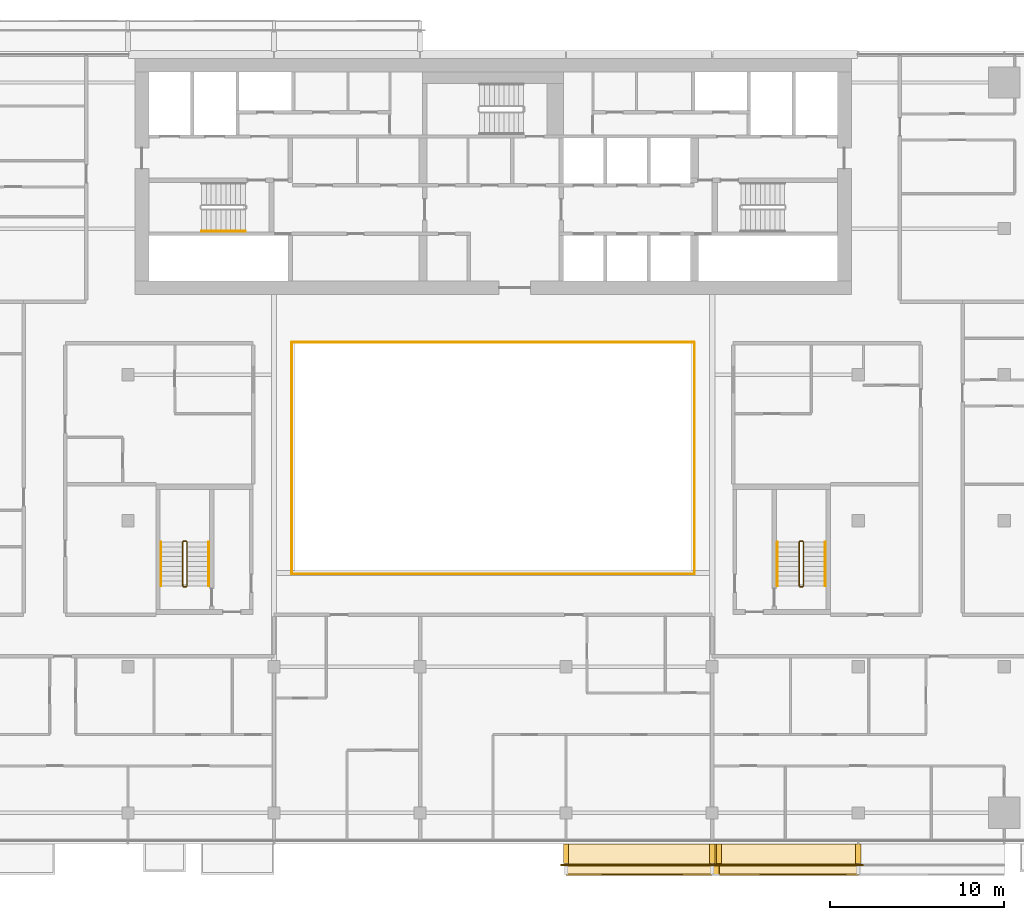
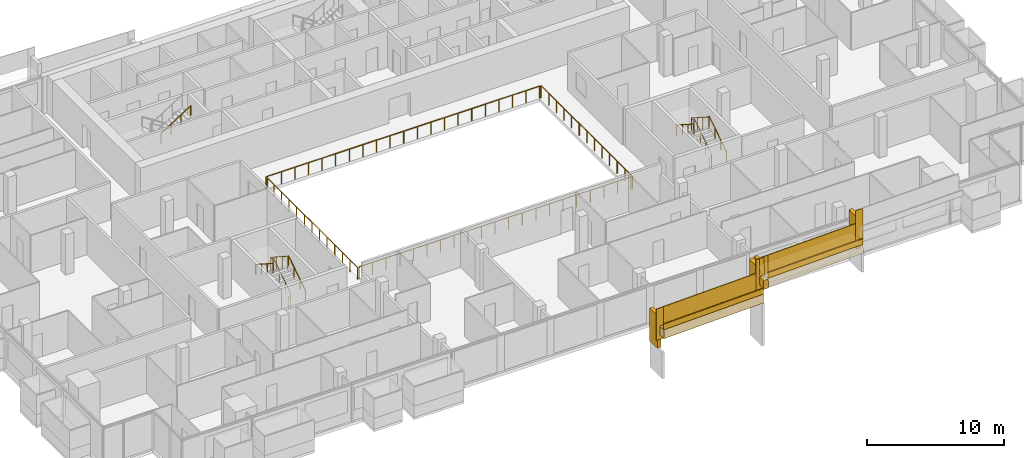
# One storey, part 26 of 28: 18 railings, 9 coverings.
"""IFC4 building model written with IfcOpenShell, lengths in metres."""

from ifc_helpers import new_model, si_unit, direction, frame, origin, origin_2d, place, context, subcontext, project, spatial, polyline, rectangle, circle, outline, extrude, material, layer, layer_set, type_object, element, save


model = new_model("IFC4")

# Units and contexts
model_context = context("Model", 3, precision=1e-05, world=origin(), true_north=direction((0.0, 1.0)))
body_context = subcontext(model_context, "Body", "Model", "MODEL_VIEW")
ifc_project = project(units=[si_unit("LENGTHUNIT", "METRE"), si_unit("AREAUNIT", "SQUARE_METRE"), si_unit("VOLUMEUNIT", "CUBIC_METRE"), si_unit("PLANEANGLEUNIT", "RADIAN"), si_unit("MASSUNIT", "GRAM", prefix="KILO")], contexts=[model_context])

# Site, building, storey
site_placement = place(None, origin())
site = spatial("IfcSite", under=ifc_project, at=site_placement, CompositionType="ELEMENT")
building_placement = place(site_placement, origin())
building = spatial("IfcBuilding", under=site, at=building_placement, Name="Saffron Gate Tower", CompositionType="ELEMENT")
storey_placement = place(building_placement, frame((0.0, 0.0, 154.64990234375)))
storey = spatial("IfcBuildingStorey", under=building, at=storey_placement, Name="L37", CompositionType="ELEMENT", Elevation=154.64990234375)

# Railings
ifc_material_1 = material(Name="Stainless steel and laminated glass", Category="steel")
railing_type_1 = type_object("IfcRailingType", Name="AG1 Atrium edge guard 1100", PredefinedType="GUARDRAIL", material=ifc_material_1)
railing_1_placement = place(storey_placement, frame((76.02001953125, 45.5400390625, 0.0)))
element("IfcRailing", 1, at=railing_1_placement, inside=storey, type_object=railing_type_1, Name="Guard C1-1", PredefinedType="GUARDRAIL", context=body_context, shape_type="SweptSolid", body=[
    extrude(circle(Radius=0.02392578125, at=origin_2d()), frame((0.0, 0.0, 1.076171875), z_axis=(0.0, 1.0, 0.0), x_axis=(-1.0, 0.0, 0.0)), (0.0, 0.0, 1.0), 13.320068359375),
    extrude(circle(Radius=0.02099609375, at=origin_2d()), origin(), (0.0, 0.0, 1.0), 1.052001953125),
    extrude(circle(Radius=0.02099609375, at=origin_2d()), frame((0.0, 1.110107421875, 0.0)), (0.0, 0.0, 1.0), 1.052001953125),
    extrude(circle(Radius=0.02099609375, at=origin_2d()), frame((0.0, 2.219970703125, 0.0)), (0.0, 0.0, 1.0), 1.052001953125),
    extrude(circle(Radius=0.02099609375, at=origin_2d()), frame((0.0, 3.330078125, 0.0)), (0.0, 0.0, 1.0), 1.052001953125),
    extrude(circle(Radius=0.02099609375, at=origin_2d()), frame((0.0, 4.43994140625, 0.0)), (0.0, 0.0, 1.0), 1.052001953125),
    extrude(circle(Radius=0.02099609375, at=origin_2d()), frame((0.0, 5.550048828125, 0.0)), (0.0, 0.0, 1.0), 1.052001953125),
    extrude(circle(Radius=0.02099609375, at=origin_2d()), frame((0.0, 6.66015625, 0.0)), (0.0, 0.0, 1.0), 1.052001953125),
    extrude(circle(Radius=0.02099609375, at=origin_2d()), frame((0.0, 7.77001953125, 0.0)), (0.0, 0.0, 1.0), 1.052001953125),
    extrude(circle(Radius=0.02099609375, at=origin_2d()), frame((0.0, 8.880126953125, 0.0)), (0.0, 0.0, 1.0), 1.052001953125),
    extrude(circle(Radius=0.02099609375, at=origin_2d()), frame((0.0, 9.989990234375, 0.0)), (0.0, 0.0, 1.0), 1.052001953125),
    extrude(circle(Radius=0.02099609375, at=origin_2d()), frame((0.0, 11.10009765625, 0.0)), (0.0, 0.0, 1.0), 1.052001953125),
    extrude(circle(Radius=0.02099609375, at=origin_2d()), frame((0.0, 12.2099609375, 0.0)), (0.0, 0.0, 1.0), 1.052001953125),
    extrude(circle(Radius=0.02099609375, at=origin_2d()), frame((0.0, 13.320068359375, 0.0)), (0.0, 0.0, 1.0), 1.052001953125),
])
railing_2_placement = place(storey_placement, frame((76.139892578125, 58.860107421875, 0.0)))
element("IfcRailing", 2, at=railing_2_placement, inside=storey, type_object=railing_type_1, Name="Guard C1-2", PredefinedType="GUARDRAIL", context=body_context, shape_type="SweptSolid", body=[
    extrude(circle(Radius=0.02392578125, at=origin_2d()), frame((0.0, 0.0, 1.076171875), z_axis=(1.0, 0.0, 0.0), x_axis=(0.0, 1.0, 0.0)), (0.0, 0.0, 1.0), 22.920166015625),
    extrude(circle(Radius=0.02099609375, at=origin_2d()), origin(), (0.0, 0.0, 1.0), 1.052001953125),
    extrude(circle(Radius=0.02099609375, at=origin_2d()), frame((1.14599609375, 0.0, 0.0)), (0.0, 0.0, 1.0), 1.052001953125),
    extrude(circle(Radius=0.02099609375, at=origin_2d()), frame((2.2919921875, 0.0, 0.0)), (0.0, 0.0, 1.0), 1.052001953125),
    extrude(circle(Radius=0.02099609375, at=origin_2d()), frame((3.43798828125, 0.0, 0.0)), (0.0, 0.0, 1.0), 1.052001953125),
    extrude(circle(Radius=0.02099609375, at=origin_2d()), frame((4.583984375, 0.0, 0.0)), (0.0, 0.0, 1.0), 1.052001953125),
    extrude(circle(Radius=0.02099609375, at=origin_2d()), frame((5.72998046875, 0.0, 0.0)), (0.0, 0.0, 1.0), 1.052001953125),
    extrude(circle(Radius=0.02099609375, at=origin_2d()), frame((6.8759765625, 0.0, 0.0)), (0.0, 0.0, 1.0), 1.052001953125),
    extrude(circle(Radius=0.02099609375, at=origin_2d()), frame((8.02197265625, 0.0, 0.0)), (0.0, 0.0, 1.0), 1.052001953125),
    extrude(circle(Radius=0.02099609375, at=origin_2d()), frame((9.16796875, 0.0, 0.0)), (0.0, 0.0, 1.0), 1.052001953125),
    extrude(circle(Radius=0.02099609375, at=origin_2d()), frame((10.31396484375, 0.0, 0.0)), (0.0, 0.0, 1.0), 1.052001953125),
    extrude(circle(Radius=0.02099609375, at=origin_2d()), frame((11.4599609375, 0.0, 0.0)), (0.0, 0.0, 1.0), 1.052001953125),
    extrude(circle(Radius=0.02099609375, at=origin_2d()), frame((12.606201171875, 0.0, 0.0)), (0.0, 0.0, 1.0), 1.052001953125),
    extrude(circle(Radius=0.02099609375, at=origin_2d()), frame((13.752197265625, 0.0, 0.0)), (0.0, 0.0, 1.0), 1.052001953125),
    extrude(circle(Radius=0.02099609375, at=origin_2d()), frame((14.898193359375, 0.0, 0.0)), (0.0, 0.0, 1.0), 1.052001953125),
    extrude(circle(Radius=0.02099609375, at=origin_2d()), frame((16.044189453125, 0.0, 0.0)), (0.0, 0.0, 1.0), 1.052001953125),
    extrude(circle(Radius=0.02099609375, at=origin_2d()), frame((17.190185546875, 0.0, 0.0)), (0.0, 0.0, 1.0), 1.052001953125),
    extrude(circle(Radius=0.02099609375, at=origin_2d()), frame((18.336181640625, 0.0, 0.0)), (0.0, 0.0, 1.0), 1.052001953125),
    extrude(circle(Radius=0.02099609375, at=origin_2d()), frame((19.482177734375, 0.0, 0.0)), (0.0, 0.0, 1.0), 1.052001953125),
    extrude(circle(Radius=0.02099609375, at=origin_2d()), frame((20.628173828125, 0.0, 0.0)), (0.0, 0.0, 1.0), 1.052001953125),
    extrude(circle(Radius=0.02099609375, at=origin_2d()), frame((21.774169921875, 0.0, 0.0)), (0.0, 0.0, 1.0), 1.052001953125),
    extrude(circle(Radius=0.02099609375, at=origin_2d()), frame((22.920166015625, 0.0, 0.0)), (0.0, 0.0, 1.0), 1.052001953125),
])
railing_3_placement = place(storey_placement, frame((99.179931640625, 58.860107421875, 0.0)))
element("IfcRailing", 3, at=railing_3_placement, inside=storey, type_object=railing_type_1, Name="Guard C1-3", PredefinedType="GUARDRAIL", context=body_context, shape_type="SweptSolid", body=[
    extrude(circle(Radius=0.02392578125, at=origin_2d()), frame((0.0, 0.0, 1.076171875), z_axis=(0.0, -1.0, 0.0), x_axis=(1.0, 0.0, 0.0)), (0.0, 0.0, 1.0), 13.320068359375),
    extrude(circle(Radius=0.02099609375, at=origin_2d()), origin(), (0.0, 0.0, 1.0), 1.052001953125),
    extrude(circle(Radius=0.02099609375, at=origin_2d()), frame((0.0, -1.110107421875, 0.0)), (0.0, 0.0, 1.0), 1.052001953125),
    extrude(circle(Radius=0.02099609375, at=origin_2d()), frame((0.0, -2.219970703125, 0.0)), (0.0, 0.0, 1.0), 1.052001953125),
    extrude(circle(Radius=0.02099609375, at=origin_2d()), frame((0.0, -3.330078125, 0.0)), (0.0, 0.0, 1.0), 1.052001953125),
    extrude(circle(Radius=0.02099609375, at=origin_2d()), frame((0.0, -4.43994140625, 0.0)), (0.0, 0.0, 1.0), 1.052001953125),
    extrude(circle(Radius=0.02099609375, at=origin_2d()), frame((0.0, -5.550048828125, 0.0)), (0.0, 0.0, 1.0), 1.052001953125),
    extrude(circle(Radius=0.02099609375, at=origin_2d()), frame((0.0, -6.66015625, 0.0)), (0.0, 0.0, 1.0), 1.052001953125),
    extrude(circle(Radius=0.02099609375, at=origin_2d()), frame((0.0, -7.77001953125, 0.0)), (0.0, 0.0, 1.0), 1.052001953125),
    extrude(circle(Radius=0.02099609375, at=origin_2d()), frame((0.0, -8.880126953125, 0.0)), (0.0, 0.0, 1.0), 1.052001953125),
    extrude(circle(Radius=0.02099609375, at=origin_2d()), frame((0.0, -9.989990234375, 0.0)), (0.0, 0.0, 1.0), 1.052001953125),
    extrude(circle(Radius=0.02099609375, at=origin_2d()), frame((0.0, -11.10009765625, 0.0)), (0.0, 0.0, 1.0), 1.052001953125),
    extrude(circle(Radius=0.02099609375, at=origin_2d()), frame((0.0, -12.2099609375, 0.0)), (0.0, 0.0, 1.0), 1.052001953125),
    extrude(circle(Radius=0.02099609375, at=origin_2d()), frame((0.0, -13.320068359375, 0.0)), (0.0, 0.0, 1.0), 1.052001953125),
])
railing_4_placement = place(storey_placement, frame((99.06005859375, 45.5400390625, 0.0)))
element("IfcRailing", 4, at=railing_4_placement, inside=storey, type_object=railing_type_1, Name="Guard C1-4", PredefinedType="GUARDRAIL", context=body_context, shape_type="SweptSolid", body=[
    extrude(circle(Radius=0.02392578125, at=origin_2d()), frame((0.0, 0.0, 1.076171875), z_axis=(-1.0, 0.0, 0.0), x_axis=(0.0, -1.0, 0.0)), (0.0, 0.0, 1.0), 22.920166015625),
    extrude(circle(Radius=0.02099609375, at=origin_2d()), origin(), (0.0, 0.0, 1.0), 1.052001953125),
    extrude(circle(Radius=0.02099609375, at=origin_2d()), frame((-1.14599609375, 0.0, 0.0)), (0.0, 0.0, 1.0), 1.052001953125),
    extrude(circle(Radius=0.02099609375, at=origin_2d()), frame((-2.2919921875, 0.0, 0.0)), (0.0, 0.0, 1.0), 1.052001953125),
    extrude(circle(Radius=0.02099609375, at=origin_2d()), frame((-3.43798828125, 0.0, 0.0)), (0.0, 0.0, 1.0), 1.052001953125),
    extrude(circle(Radius=0.02099609375, at=origin_2d()), frame((-4.583984375, 0.0, 0.0)), (0.0, 0.0, 1.0), 1.052001953125),
    extrude(circle(Radius=0.02099609375, at=origin_2d()), frame((-5.72998046875, 0.0, 0.0)), (0.0, 0.0, 1.0), 1.052001953125),
    extrude(circle(Radius=0.02099609375, at=origin_2d()), frame((-6.8759765625, 0.0, 0.0)), (0.0, 0.0, 1.0), 1.052001953125),
    extrude(circle(Radius=0.02099609375, at=origin_2d()), frame((-8.02197265625, 0.0, 0.0)), (0.0, 0.0, 1.0), 1.052001953125),
    extrude(circle(Radius=0.02099609375, at=origin_2d()), frame((-9.16796875, 0.0, 0.0)), (0.0, 0.0, 1.0), 1.052001953125),
    extrude(circle(Radius=0.02099609375, at=origin_2d()), frame((-10.31396484375, 0.0, 0.0)), (0.0, 0.0, 1.0), 1.052001953125),
    extrude(circle(Radius=0.02099609375, at=origin_2d()), frame((-11.4599609375, 0.0, 0.0)), (0.0, 0.0, 1.0), 1.052001953125),
    extrude(circle(Radius=0.02099609375, at=origin_2d()), frame((-12.606201171875, 0.0, 0.0)), (0.0, 0.0, 1.0), 1.052001953125),
    extrude(circle(Radius=0.02099609375, at=origin_2d()), frame((-13.752197265625, 0.0, 0.0)), (0.0, 0.0, 1.0), 1.052001953125),
    extrude(circle(Radius=0.02099609375, at=origin_2d()), frame((-14.898193359375, 0.0, 0.0)), (0.0, 0.0, 1.0), 1.052001953125),
    extrude(circle(Radius=0.02099609375, at=origin_2d()), frame((-16.044189453125, 0.0, 0.0)), (0.0, 0.0, 1.0), 1.052001953125),
    extrude(circle(Radius=0.02099609375, at=origin_2d()), frame((-17.190185546875, 0.0, 0.0)), (0.0, 0.0, 1.0), 1.052001953125),
    extrude(circle(Radius=0.02099609375, at=origin_2d()), frame((-18.336181640625, 0.0, 0.0)), (0.0, 0.0, 1.0), 1.052001953125),
    extrude(circle(Radius=0.02099609375, at=origin_2d()), frame((-19.482177734375, 0.0, 0.0)), (0.0, 0.0, 1.0), 1.052001953125),
    extrude(circle(Radius=0.02099609375, at=origin_2d()), frame((-20.628173828125, 0.0, 0.0)), (0.0, 0.0, 1.0), 1.052001953125),
    extrude(circle(Radius=0.02099609375, at=origin_2d()), frame((-21.774169921875, 0.0, 0.0)), (0.0, 0.0, 1.0), 1.052001953125),
    extrude(circle(Radius=0.02099609375, at=origin_2d()), frame((-22.920166015625, 0.0, 0.0)), (0.0, 0.0, 1.0), 1.052001953125),
])
railing_type_2 = type_object("IfcRailingType", Name="CR1 Stair guard 1100", PredefinedType="GUARDRAIL", material=ifc_material_1)
railing_5_placement = place(storey_placement, frame((69.800048828125, 44.800048828125, 0.0)))
element("IfcRailing", 5, at=railing_5_placement, inside=storey, type_object=railing_type_2, Name="L37 ST-D stair guard 1", PredefinedType="GUARDRAIL", context=body_context, shape_type="SweptSolid", body=[
    extrude(circle(Radius=0.02392578125, at=origin_2d()), frame((0.0, 0.0, 1.076171875), z_axis=(1.0, 0.0, 0.0), x_axis=(0.0, 1.0, 0.0)), (0.0, 0.0, 1.0), 0.14990234375),
    extrude(circle(Radius=0.02392578125, at=origin_2d()), frame((0.14990234375, 0.0, 1.076171875), z_axis=(0.258543844998, 0.258543844998, 0.930757841991), x_axis=(-0.707106781187, 0.707106781187, 0.0)), (0.0, 0.0, 1.0), 0.193603515625),
    extrude(circle(Radius=0.02392578125, at=origin_2d()), frame((0.199951171875, 0.050048828125, 1.25634765625), z_axis=(0.0, 0.841199657755, 0.540724639528), x_axis=(-1.0, 0.0, 0.0)), (0.0, 0.0, 1.0), 2.995849609375),
    extrude(circle(Radius=0.02392578125, at=origin_2d()), frame((0.199951171875, 2.570068359375, 2.8759765625), z_axis=(-0.708833529934, 0.705375805398, 0.0), x_axis=(-0.705375805398, -0.708833529934, 0.0)), (0.0, 0.0, 1.0), 0.070556640625),
    extrude(circle(Radius=0.02392578125, at=origin_2d()), frame((0.14990234375, 2.619873046875, 2.8759765625), z_axis=(-1.0, 0.0, 0.0), x_axis=(0.0, -1.0, 0.0)), (0.0, 0.0, 1.0), 0.14990234375),
    extrude(circle(Radius=0.02392578125, at=origin_2d()), frame((0.0, 2.619873046875, 2.8759765625), z_axis=(-0.258932105505, -0.257669022063, 0.930892496375), x_axis=(0.705375805398, -0.708833529934, 0.0)), (0.0, 0.0, 1.0), 0.193359375),
    extrude(circle(Radius=0.02392578125, at=origin_2d()), frame((-0.050048828125, 2.570068359375, 3.05615234375), z_axis=(0.0, -0.841162588446, 0.540782303519), x_axis=(1.0, 0.0, 0.0)), (0.0, 0.0, 1.0), 2.995849609375),
    extrude(circle(Radius=0.02099609375, at=origin_2d()), origin(), (0.0, 0.0, 1.0), 1.052001953125),
    extrude(circle(Radius=0.02099609375, at=origin_2d()), frame((0.14990234375, 0.0, 0.0)), (0.0, 0.0, 1.0), 1.052001953125),
    extrude(circle(Radius=0.02099609375, at=origin_2d()), frame((0.199951171875, 0.050048828125, 0.18017578125)), (0.0, 0.0, 1.0), 1.052001953125),
    extrude(circle(Radius=0.02099609375, at=origin_2d()), frame((0.199951171875, 0.89013671875, 0.72021484375)), (0.0, 0.0, 1.0), 1.052001953125),
    extrude(circle(Radius=0.02099609375, at=origin_2d()), frame((0.199951171875, 1.72998046875, 1.260009765625)), (0.0, 0.0, 1.0), 1.052001953125),
    extrude(circle(Radius=0.02099609375, at=origin_2d()), frame((0.199951171875, 2.570068359375, 1.800048828125)), (0.0, 0.0, 1.0), 1.052001953125),
    extrude(circle(Radius=0.02099609375, at=origin_2d()), frame((0.14990234375, 2.619873046875, 1.800048828125)), (0.0, 0.0, 1.0), 1.052001953125),
    extrude(circle(Radius=0.02099609375, at=origin_2d()), frame((0.0, 2.619873046875, 1.800048828125)), (0.0, 0.0, 1.0), 1.052001953125),
    extrude(circle(Radius=0.02099609375, at=origin_2d()), frame((-0.050048828125, 2.570068359375, 1.97998046875)), (0.0, 0.0, 1.0), 1.052001953125),
    extrude(circle(Radius=0.02099609375, at=origin_2d()), frame((-0.050048828125, 1.72998046875, 2.52001953125)), (0.0, 0.0, 1.0), 1.052001953125),
    extrude(circle(Radius=0.02099609375, at=origin_2d()), frame((-0.050048828125, 0.89013671875, 3.06005859375)), (0.0, 0.0, 1.0), 1.052001953125),
    extrude(circle(Radius=0.02099609375, at=origin_2d()), frame((-0.050048828125, 0.050048828125, 3.60009765625)), (0.0, 0.0, 1.0), 1.052001953125),
])
railing_6_placement = place(storey_placement, frame((105.25, 44.800048828125, 0.0)))
element("IfcRailing", 6, at=railing_6_placement, inside=storey, type_object=railing_type_2, Name="L37 ST-E stair guard 1", PredefinedType="GUARDRAIL", context=body_context, shape_type="SweptSolid", body=[
    extrude(circle(Radius=0.02392578125, at=origin_2d()), frame((0.0, 0.0, 1.076171875), z_axis=(1.0, 0.0, 0.0), x_axis=(0.0, 1.0, 0.0)), (0.0, 0.0, 1.0), 0.14990234375),
    extrude(circle(Radius=0.02392578125, at=origin_2d()), frame((0.14990234375, 0.0, 1.076171875), z_axis=(0.258543844998, 0.258543844998, 0.930757841991), x_axis=(-0.707106781187, 0.707106781187, 0.0)), (0.0, 0.0, 1.0), 0.193603515625),
    extrude(circle(Radius=0.02392578125, at=origin_2d()), frame((0.199951171875, 0.050048828125, 1.25634765625), z_axis=(0.0, 0.841199657755, 0.540724639528), x_axis=(-1.0, 0.0, 0.0)), (0.0, 0.0, 1.0), 2.995849609375),
    extrude(circle(Radius=0.02392578125, at=origin_2d()), frame((0.199951171875, 2.570068359375, 2.8759765625), z_axis=(-0.708833529934, 0.705375805398, 0.0), x_axis=(-0.705375805398, -0.708833529934, 0.0)), (0.0, 0.0, 1.0), 0.070556640625),
    extrude(circle(Radius=0.02392578125, at=origin_2d()), frame((0.14990234375, 2.619873046875, 2.8759765625), z_axis=(-1.0, 0.0, 0.0), x_axis=(0.0, -1.0, 0.0)), (0.0, 0.0, 1.0), 0.14990234375),
    extrude(circle(Radius=0.02392578125, at=origin_2d()), frame((0.0, 2.619873046875, 2.8759765625), z_axis=(-0.258932105505, -0.257669022063, 0.930892496375), x_axis=(0.705375805398, -0.708833529934, 0.0)), (0.0, 0.0, 1.0), 0.193359375),
    extrude(circle(Radius=0.02392578125, at=origin_2d()), frame((-0.050048828125, 2.570068359375, 3.05615234375), z_axis=(0.0, -0.841162588446, 0.540782303519), x_axis=(1.0, 0.0, 0.0)), (0.0, 0.0, 1.0), 2.995849609375),
    extrude(circle(Radius=0.02099609375, at=origin_2d()), origin(), (0.0, 0.0, 1.0), 1.052001953125),
    extrude(circle(Radius=0.02099609375, at=origin_2d()), frame((0.14990234375, 0.0, 0.0)), (0.0, 0.0, 1.0), 1.052001953125),
    extrude(circle(Radius=0.02099609375, at=origin_2d()), frame((0.199951171875, 0.050048828125, 0.18017578125)), (0.0, 0.0, 1.0), 1.052001953125),
    extrude(circle(Radius=0.02099609375, at=origin_2d()), frame((0.199951171875, 0.89013671875, 0.72021484375)), (0.0, 0.0, 1.0), 1.052001953125),
    extrude(circle(Radius=0.02099609375, at=origin_2d()), frame((0.199951171875, 1.72998046875, 1.260009765625)), (0.0, 0.0, 1.0), 1.052001953125),
    extrude(circle(Radius=0.02099609375, at=origin_2d()), frame((0.199951171875, 2.570068359375, 1.800048828125)), (0.0, 0.0, 1.0), 1.052001953125),
    extrude(circle(Radius=0.02099609375, at=origin_2d()), frame((0.14990234375, 2.619873046875, 1.800048828125)), (0.0, 0.0, 1.0), 1.052001953125),
    extrude(circle(Radius=0.02099609375, at=origin_2d()), frame((0.0, 2.619873046875, 1.800048828125)), (0.0, 0.0, 1.0), 1.052001953125),
    extrude(circle(Radius=0.02099609375, at=origin_2d()), frame((-0.050048828125, 2.570068359375, 1.97998046875)), (0.0, 0.0, 1.0), 1.052001953125),
    extrude(circle(Radius=0.02099609375, at=origin_2d()), frame((-0.050048828125, 1.72998046875, 2.52001953125)), (0.0, 0.0, 1.0), 1.052001953125),
    extrude(circle(Radius=0.02099609375, at=origin_2d()), frame((-0.050048828125, 0.89013671875, 3.06005859375)), (0.0, 0.0, 1.0), 1.052001953125),
    extrude(circle(Radius=0.02099609375, at=origin_2d()), frame((-0.050048828125, 0.050048828125, 3.60009765625)), (0.0, 0.0, 1.0), 1.052001953125),
])
ifc_material_2 = material(Name="Stainless steel", Category="steel")
railing_type_3 = type_object("IfcRailingType", Name="CR2 Stair handrail 900", PredefinedType="HANDRAIL", material=ifc_material_2)
railing_7_placement = place(storey_placement, frame((70.830078125, 65.25, 1.97998046875)))
element("IfcRailing", 7, at=railing_7_placement, inside=storey, type_object=railing_type_3, Name="L37 ST-A stair handrail 2", PredefinedType="HANDRAIL", context=body_context, shape_type="SweptSolid", body=[
    extrude(circle(Radius=0.02392578125, at=origin_2d()), frame((0.0, 0.0, 0.8759765625), z_axis=(0.841162588446, 0.0, 0.540782303519), x_axis=(0.0, 1.0, 0.0)), (0.0, 0.0, 1.0), 2.995849609375),
    extrude(circle(Radius=0.02099609375, at=origin_2d()), origin(), (0.0, 0.0, 1.0), 0.851806640625),
    extrude(circle(Radius=0.02099609375, at=origin_2d()), frame((0.840087890625, 0.0, 0.5400390625)), (0.0, 0.0, 1.0), 0.851806640625),
    extrude(circle(Radius=0.02099609375, at=origin_2d()), frame((1.679931640625, 0.0, 1.080078125)), (0.0, 0.0, 1.0), 0.851806640625),
    extrude(circle(Radius=0.02099609375, at=origin_2d()), frame((2.52001953125, 0.0, 1.6201171875)), (0.0, 0.0, 1.0), 0.851806640625),
])
railing_8_placement = place(storey_placement, frame((71.25, 44.85009765625, 0.18017578125)))
element("IfcRailing", 8, at=railing_8_placement, inside=storey, type_object=railing_type_3, Name="L37 ST-D stair handrail 1", PredefinedType="HANDRAIL", context=body_context, shape_type="SweptSolid", body=[
    extrude(circle(Radius=0.02392578125, at=origin_2d()), frame((0.0, 0.0, 0.8759765625), z_axis=(0.0, 0.841199657755, 0.540724639528), x_axis=(-1.0, 0.0, 0.0)), (0.0, 0.0, 1.0), 2.995849609375),
    extrude(circle(Radius=0.02099609375, at=origin_2d()), origin(), (0.0, 0.0, 1.0), 0.851806640625),
    extrude(circle(Radius=0.02099609375, at=origin_2d()), frame((0.0, 0.840087890625, 0.5400390625)), (0.0, 0.0, 1.0), 0.851806640625),
    extrude(circle(Radius=0.02099609375, at=origin_2d()), frame((0.0, 1.679931640625, 1.079833984375)), (0.0, 0.0, 1.0), 0.851806640625),
    extrude(circle(Radius=0.02099609375, at=origin_2d()), frame((0.0, 2.52001953125, 1.619873046875)), (0.0, 0.0, 1.0), 0.851806640625),
])
railing_9_placement = place(storey_placement, frame((68.5, 47.3701171875, 1.97998046875)))
element("IfcRailing", 9, at=railing_9_placement, inside=storey, type_object=railing_type_3, Name="L37 ST-D stair handrail 2", PredefinedType="HANDRAIL", context=body_context, shape_type="SweptSolid", body=[
    extrude(circle(Radius=0.02392578125, at=origin_2d()), frame((0.0, 0.0, 0.8759765625), z_axis=(0.0, -0.841162588446, 0.540782303519), x_axis=(1.0, 0.0, 0.0)), (0.0, 0.0, 1.0), 2.995849609375),
    extrude(circle(Radius=0.02099609375, at=origin_2d()), origin(), (0.0, 0.0, 1.0), 0.851806640625),
    extrude(circle(Radius=0.02099609375, at=origin_2d()), frame((0.0, -0.840087890625, 0.5400390625)), (0.0, 0.0, 1.0), 0.851806640625),
    extrude(circle(Radius=0.02099609375, at=origin_2d()), frame((0.0, -1.679931640625, 1.080078125)), (0.0, 0.0, 1.0), 0.851806640625),
    extrude(circle(Radius=0.02099609375, at=origin_2d()), frame((0.0, -2.52001953125, 1.6201171875)), (0.0, 0.0, 1.0), 0.851806640625),
])
railing_10_placement = place(storey_placement, frame((106.699951171875, 44.85009765625, 0.18017578125)))
element("IfcRailing", 10, at=railing_10_placement, inside=storey, type_object=railing_type_3, Name="L37 ST-E stair handrail 1", PredefinedType="HANDRAIL", context=body_context, shape_type="SweptSolid", body=[
    extrude(circle(Radius=0.02392578125, at=origin_2d()), frame((0.0, 0.0, 0.8759765625), z_axis=(0.0, 0.841199657755, 0.540724639528), x_axis=(-1.0, 0.0, 0.0)), (0.0, 0.0, 1.0), 2.995849609375),
    extrude(circle(Radius=0.02099609375, at=origin_2d()), origin(), (0.0, 0.0, 1.0), 0.851806640625),
    extrude(circle(Radius=0.02099609375, at=origin_2d()), frame((0.0, 0.840087890625, 0.5400390625)), (0.0, 0.0, 1.0), 0.851806640625),
    extrude(circle(Radius=0.02099609375, at=origin_2d()), frame((0.0, 1.679931640625, 1.079833984375)), (0.0, 0.0, 1.0), 0.851806640625),
    extrude(circle(Radius=0.02099609375, at=origin_2d()), frame((0.0, 2.52001953125, 1.619873046875)), (0.0, 0.0, 1.0), 0.851806640625),
])
railing_11_placement = place(storey_placement, frame((103.949951171875, 47.3701171875, 1.97998046875)))
element("IfcRailing", 11, at=railing_11_placement, inside=storey, type_object=railing_type_3, Name="L37 ST-E stair handrail 2", PredefinedType="HANDRAIL", context=body_context, shape_type="SweptSolid", body=[
    extrude(circle(Radius=0.02392578125, at=origin_2d()), frame((0.0, 0.0, 0.8759765625), z_axis=(0.0, -0.841162588446, 0.540782303519), x_axis=(1.0, 0.0, 0.0)), (0.0, 0.0, 1.0), 2.995849609375),
    extrude(circle(Radius=0.02099609375, at=origin_2d()), origin(), (0.0, 0.0, 1.0), 0.851806640625),
    extrude(circle(Radius=0.02099609375, at=origin_2d()), frame((0.0, -0.840087890625, 0.5400390625)), (0.0, 0.0, 1.0), 0.851806640625),
    extrude(circle(Radius=0.02099609375, at=origin_2d()), frame((0.0, -1.679931640625, 1.080078125)), (0.0, 0.0, 1.0), 0.851806640625),
    extrude(circle(Radius=0.02099609375, at=origin_2d()), frame((0.0, -2.52001953125, 1.6201171875)), (0.0, 0.0, 1.0), 0.851806640625),
])

# Coverings
ifc_material_3 = material(Name="Timber, thermally modified ash", Category="wood")
ifc_layer_1 = layer(ifc_material_3, 0.800048828125)
ifc_layer_set_1 = layer_set([ifc_layer_1], Name="LD1 ledge timber")
covering_type_1 = type_object("IfcCoveringType", Name="LD1 ledge timber", PredefinedType="CLADDING", material=ifc_layer_set_1)
covering_1_placement = place(storey_placement, frame((91.800048828125, 30.0, 0.499755859375), z_axis=(-0.028791175352, 0.0, 0.999585448184), x_axis=(0.999585448184, 0.0, 0.028791175352)))
element("IfcCovering", 12, at=covering_1_placement, inside=storey, type_object=covering_type_1, Name="LEDGE", PredefinedType="CLADDING", context=body_context, shape_type="SweptSolid", body=[
    extrude(outline(polyline([(0.0, 0.0), (8.403385982666892, 0.0), (8.403385982666892, -1.800048828125), (0.0, -1.800048828125), (0.0, 0.0)])), origin(), (0.0, 0.0, -1.0), 0.800048828125),
])
covering_2_placement = place(storey_placement, frame((100.199951171875, 30.0, 1.942138671875), z_axis=(-0.028664238881, 0.0, 0.999589096284), x_axis=(0.999589096284, 0.0, 0.028664238881)))
element("IfcCovering", 13, at=covering_2_placement, inside=storey, type_object=covering_type_1, Name="LEDGE", PredefinedType="CLADDING", context=body_context, shape_type="SweptSolid", body=[
    extrude(outline(polyline([(0.0, 0.0), (0.40031097364171886, 0.0), (0.40031097364171886, -1.8000488281250004), (0.0, -1.8000488281250004), (0.0, 0.0)])), origin(), (0.0, 0.0, -1.0), 0.800048828125),
])
covering_3_placement = place(storey_placement, frame((100.60009765625, 30.0, 2.0107421875), z_axis=(-0.028796646555, 0.0, 0.999585290582), x_axis=(0.999585290582, 0.0, 0.028796646555)))
element("IfcCovering", 14, at=covering_3_placement, inside=storey, type_object=covering_type_1, Name="LEDGE", PredefinedType="CLADDING", context=body_context, shape_type="SweptSolid", body=[
    extrude(outline(polyline([(0.0, 0.0), (8.003319051788862, 0.0), (8.003319051788862, -1.800048828125), (0.0, -1.800048828125), (0.0, 0.0)])), origin(), (0.0, 0.0, -1.0), 0.800048828125),
])
ifc_layer_2 = layer(ifc_material_3, 0.080078125)
ifc_layer_set_2 = layer_set([ifc_layer_2], Name="LD2 ledge planter trough")
covering_type_2 = type_object("IfcCoveringType", Name="LD2 ledge planter trough", PredefinedType="CLADDING", material=ifc_layer_set_2)
covering_4_placement = place(storey_placement, frame((91.800048828125, 28.199951171875, 0.499755859375), z_axis=(0.0, -1.0, 0.0), x_axis=(0.999585448184, 0.0, 0.028791175352)))
element("IfcCovering", 15, at=covering_4_placement, inside=storey, type_object=covering_type_2, Name="LEDGE planter trough", PredefinedType="CLADDING", context=body_context, shape_type="SweptSolid", body=[
    extrude(outline(polyline([(0.0, 0.0), (8.403385982666892, 0.0), (8.417781570342743, 0.49979272409216496), (0.014395587675851172, 0.4997927240921649), (0.0, 0.0)])), origin(), (0.0, 0.0, -1.0), 0.080078125),
])
covering_5_placement = place(storey_placement, frame((100.60009765625, 28.199951171875, 2.0107421875), z_axis=(0.0, -1.0, 0.0), x_axis=(0.999585290582, 0.0, 0.028796646555)))
element("IfcCovering", 16, at=covering_5_placement, inside=storey, type_object=covering_type_2, Name="LEDGE planter trough", PredefinedType="CLADDING", context=body_context, shape_type="SweptSolid", body=[
    extrude(outline(polyline([(0.0, 0.0), (8.003319051788862, 0.0), (8.017717375066283, 0.4997926452908234), (0.014398323277421184, 0.49979264529082346), (0.0, 0.0)])), origin(), (0.0, 0.0, -1.0), 0.080078125),
])
ifc_layer_3 = layer(ifc_material_3, 0.300048828125)
ifc_layer_set_3 = layer_set([ifc_layer_3], Name="LD3 ledge riser fin")
covering_type_3 = type_object("IfcCoveringType", Name="LD3 ledge riser fin", PredefinedType="CLADDING", material=ifc_layer_set_3)
for number, where, z_axis, x_axis, name in (
    (17, (91.800048828125, 29.43994140625, -1.500732421875), (0.0, 0.0, 1.0), (1.0, 0.0, 0.0), "LEDGE riser fin"),
    (18, (100.199951171875, 29.43994140625, -0.058349609375), (0.0, 0.0, 1.0), (1.0, 0.0, 0.0), "LEDGE riser fin"),
):
    element("IfcCovering", number, at=place(storey_placement, frame(where, z_axis=z_axis, x_axis=x_axis)), inside=storey, type_object=covering_type_3, Name=name, PredefinedType="CLADDING", context=body_context, shape_type="SweptSolid", body=[
        extrude(rectangle(XDim=0.300048828125, YDim=1.1201171875, at=origin_2d()), origin(), (0.0, 0.0, 1.0), 2.900390625),
    ])
covering_6_placement = place(storey_placement, frame((100.60009765625, 29.43994140625, 1.15380859375), z_axis=(0.0, 0.0, 1.0), x_axis=(1.0, 0.0, 0.0)))
element("IfcCovering", 19, at=covering_6_placement, inside=storey, type_object=covering_type_3, Name="LEDGE riser fin", PredefinedType="CLADDING", context=body_context, shape_type="SweptSolid", body=[
    extrude(rectangle(XDim=0.300048828125, YDim=1.1201171875, at=origin_2d()), origin(), (0.0, 0.0, 1.0), 1.757080078125),
])
covering_7_placement = place(storey_placement, frame((108.60009765625, 29.43994140625, 1.441162109375), z_axis=(0.0, 0.0, 1.0), x_axis=(1.0, 0.0, 0.0)))
element("IfcCovering", 20, at=covering_7_placement, inside=storey, type_object=covering_type_3, Name="LEDGE riser fin", PredefinedType="CLADDING", context=body_context, shape_type="SweptSolid", body=[
    extrude(rectangle(XDim=0.300048828125, YDim=1.1201171875, at=origin_2d()), origin(), (0.0, 0.0, 1.0), 2.84326171875),
])

# Railings
railing_type_4 = type_object("IfcRailingType", Name="LG1 ledge balustrade", PredefinedType="BALUSTRADE", material=ifc_material_3)
railing_12_placement = place(storey_placement, frame((91.800048828125, 28.800048828125, 0.499755859375)))
element("IfcRailing", 21, at=railing_12_placement, inside=storey, type_object=railing_type_4, Name="LEDGE BALUSTRADE", PredefinedType="BALUSTRADE", context=body_context, shape_type="SweptSolid", body=[
    extrude(rectangle(XDim=0.06005859375, YDim=1.60009765625, at=origin_2d()), frame((0.0, 0.0, 0.800048828125), z_axis=(0.999585448184, 0.0, 0.028791175352), x_axis=(0.0, 1.0, 0.0)), (0.0, 0.0, 1.0), 8.4033203125),
])
railing_13_placement = place(storey_placement, frame((91.5, 28.800048828125, -0.70068359375)))
element("IfcRailing", 22, at=railing_13_placement, inside=storey, type_object=railing_type_4, Name="LEDGE BALUSTRADE", PredefinedType="BALUSTRADE", context=body_context, shape_type="SweptSolid", body=[
    extrude(rectangle(XDim=0.06005859375, YDim=2.80029296875, at=origin_2d()), frame((0.0, 0.0, 1.400146484375), z_axis=(1.0, 0.0, 0.0), x_axis=(0.0, 1.0, 0.0)), (0.0, 0.0, 1.0), 0.60009765625),
])
railing_14_placement = place(storey_placement, frame((100.199951171875, 28.800048828125, 1.942138671875)))
element("IfcRailing", 23, at=railing_14_placement, inside=storey, type_object=railing_type_4, Name="LEDGE BALUSTRADE", PredefinedType="BALUSTRADE", context=body_context, shape_type="SweptSolid", body=[
    extrude(rectangle(XDim=0.06005859375, YDim=1.60009765625, at=origin_2d()), frame((0.0, 0.0, 0.800048828125), z_axis=(0.999589096284, 0.0, 0.028664238881), x_axis=(0.0, 1.0, 0.0)), (0.0, 0.0, 1.0), 0.400390625),
])
railing_15_placement = place(storey_placement, frame((99.89990234375, 28.800048828125, 0.74169921875)))
element("IfcRailing", 24, at=railing_15_placement, inside=storey, type_object=railing_type_4, Name="LEDGE BALUSTRADE", PredefinedType="BALUSTRADE", context=body_context, shape_type="SweptSolid", body=[
    extrude(rectangle(XDim=0.06005859375, YDim=2.80029296875, at=origin_2d()), frame((0.0, 0.0, 1.400146484375), z_axis=(1.0, 0.0, 0.0), x_axis=(0.0, 1.0, 0.0)), (0.0, 0.0, 1.0), 0.60009765625),
])
railing_16_placement = place(storey_placement, frame((100.60009765625, 28.800048828125, 2.0107421875)))
element("IfcRailing", 25, at=railing_16_placement, inside=storey, type_object=railing_type_4, Name="LEDGE BALUSTRADE", PredefinedType="BALUSTRADE", context=body_context, shape_type="SweptSolid", body=[
    extrude(rectangle(XDim=0.06005859375, YDim=1.60009765625, at=origin_2d()), frame((0.0, 0.0, 0.800048828125), z_axis=(0.999585290582, 0.0, 0.028796646555), x_axis=(0.0, 1.0, 0.0)), (0.0, 0.0, 1.0), 8.00341796875),
])
railing_17_placement = place(storey_placement, frame((100.300048828125, 28.800048828125, 1.95361328125)))
element("IfcRailing", 26, at=railing_17_placement, inside=storey, type_object=railing_type_4, Name="LEDGE BALUSTRADE", PredefinedType="BALUSTRADE", context=body_context, shape_type="SweptSolid", body=[
    extrude(rectangle(XDim=0.06005859375, YDim=1.6572265625, at=origin_2d()), frame((0.0, 0.0, 0.82861328125), z_axis=(1.0, 0.0, 0.0), x_axis=(0.0, 1.0, 0.0)), (0.0, 0.0, 1.0), 0.599853515625),
])
railing_18_placement = place(storey_placement, frame((108.300048828125, 28.800048828125, 2.2412109375)))
element("IfcRailing", 27, at=railing_18_placement, inside=storey, type_object=railing_type_4, Name="LEDGE BALUSTRADE", PredefinedType="BALUSTRADE", context=body_context, shape_type="SweptSolid", body=[
    extrude(rectangle(XDim=0.06005859375, YDim=2.7431640625, at=origin_2d()), frame((0.0, 0.0, 1.37158203125), z_axis=(1.0, 0.0, 0.0), x_axis=(0.0, 1.0, 0.0)), (0.0, 0.0, 1.0), 0.599853515625),
])

save(model, "model.ifc")
